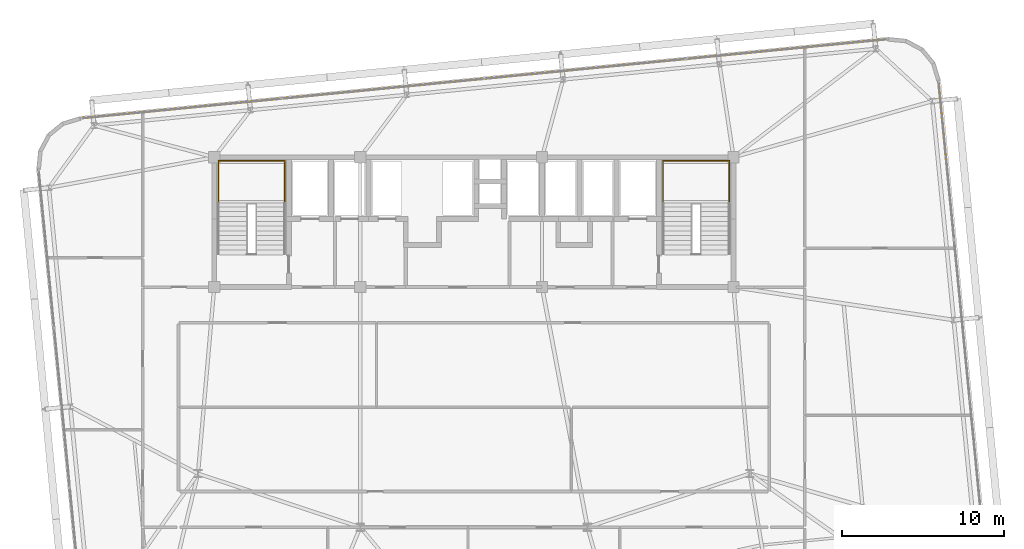
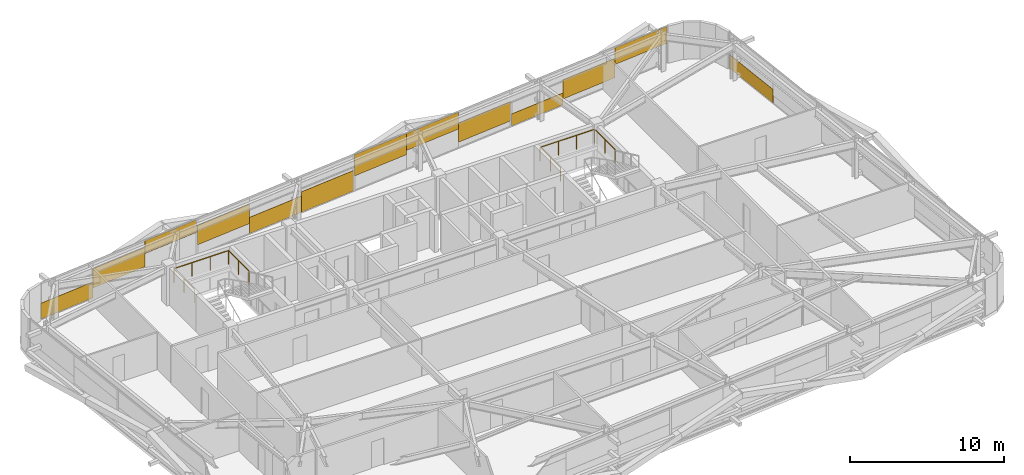
# One storey, part 47 of 47: 13 coverings, 2 railings.
"""IFC4 building model written with IfcOpenShell, lengths in metres."""

from ifc_helpers import new_model, si_unit, direction, frame, origin, origin_2d, place, context, subcontext, project, spatial, rectangle, extrude, source, transform, mapped, material, layer, layer_set, type_object, element, save


model = new_model("IFC4")

# Units and contexts
model_context = context("Model", 3, precision=1e-05, world=origin(), true_north=direction((0.0, 1.0)))
body_context = subcontext(model_context, "Body", "Model", "MODEL_VIEW")
ifc_project = project(units=[si_unit("LENGTHUNIT", "METRE"), si_unit("AREAUNIT", "SQUARE_METRE"), si_unit("VOLUMEUNIT", "CUBIC_METRE"), si_unit("PLANEANGLEUNIT", "RADIAN"), si_unit("MASSUNIT", "GRAM", prefix="KILO")], contexts=[model_context])

# Site, building, storey
site_placement = place(None, origin())
site = spatial("IfcSite", under=ifc_project, at=site_placement, CompositionType="ELEMENT")
building_placement = place(site_placement, origin())
building = spatial("IfcBuilding", under=site, at=building_placement, Name="Taldren Reach Tower", CompositionType="ELEMENT")
storey_placement = place(building_placement, frame((0.0, 0.0, 87.14990234375)))
storey = spatial("IfcBuildingStorey", under=building, at=storey_placement, Name="L26", CompositionType="ELEMENT", Elevation=87.14990234375)

# Railings
ifc_material_1 = material(Name="Steel Gr 350 (C350L0)", Category="steel")
ifc_layer_1 = layer(ifc_material_1, 0.050048828125)
ifc_layer_set_1 = layer_set([ifc_layer_1], Name="Steel Gr 350 (C350L0)")
railing_type = type_object("IfcRailingType", Name="RL-STAIR-GR", PredefinedType="GUARDRAIL", material=ifc_layer_set_1)
for number, where, name in (
    (1, (19.260009765625, 29.135009765625, 1.5751953125), "Stair half-landing perimeter guard ST1-L26"),
    (2, (46.659912109375, 29.135009765625, 1.5751953125), "Stair half-landing perimeter guard ST2-L26"),
):
    element("IfcRailing", number, at=place(storey_placement, frame(where)), inside=storey, type_object=railing_type, Name=name, PredefinedType="GUARDRAIL", context=body_context, shape_type="SweptSolid", body=[
        extrude(rectangle(XDim=0.047852, YDim=0.047852, at=origin_2d()), frame((0.0, 0.0, 1.09619140625), z_axis=(0.0, 1.0, 0.0), x_axis=(-1.0, 0.0, 0.0)), (0.0, 0.0, 1.0), 2.64501953125),
        extrude(rectangle(XDim=0.047852, YDim=0.047852, at=origin_2d()), frame((0.0, 2.64501953125, 1.09619140625), z_axis=(1.0, 0.0, 0.0), x_axis=(0.0, 1.0, 0.0)), (0.0, 0.0, 1.0), 4.080078125),
        extrude(rectangle(XDim=0.047852, YDim=0.047852, at=origin_2d()), frame((4.080078125, 2.64501953125, 1.09619140625), z_axis=(0.0, -1.0, 0.0), x_axis=(1.0, 0.0, 0.0)), (0.0, 0.0, 1.0), 2.64501953125),
        extrude(rectangle(XDim=0.041992, YDim=0.041992, at=origin_2d()), origin(), (0.0, 0.0, 1.0), 1.072021484375),
        extrude(rectangle(XDim=0.041992, YDim=0.041992, at=origin_2d()), frame((0.0, 1.322509765625, 0.0)), (0.0, 0.0, 1.0), 1.072021484375),
        extrude(rectangle(XDim=0.041992, YDim=0.041992, at=origin_2d()), frame((0.0, 2.64501953125, 0.0)), (0.0, 0.0, 1.0), 1.072021484375),
        extrude(rectangle(XDim=0.041992, YDim=0.041992, at=origin_2d()), frame((1.360107421875, 2.64501953125, 0.0)), (0.0, 0.0, 1.0), 1.072021484375),
        extrude(rectangle(XDim=0.041992, YDim=0.041992, at=origin_2d()), frame((2.719970703125, 2.64501953125, 0.0)), (0.0, 0.0, 1.0), 1.072021484375),
        extrude(rectangle(XDim=0.041992, YDim=0.041992, at=origin_2d()), frame((4.080078125, 2.64501953125, 0.0)), (0.0, 0.0, 1.0), 1.072021484375),
        extrude(rectangle(XDim=0.041992, YDim=0.041992, at=origin_2d()), frame((4.080078125, 1.322509765625, 0.0)), (0.0, 0.0, 1.0), 1.072021484375),
        extrude(rectangle(XDim=0.041992, YDim=0.041992, at=origin_2d()), frame((4.080078125, 0.0, 0.0)), (0.0, 0.0, 1.0), 1.072021484375),
    ])

# Coverings
ifc_material_2 = material(Name="Pale Champagne Fluoropolymer Aluminium Spandrel Cladding", Category="aluminium")
ifc_layer_2 = layer(ifc_material_2, 0.0439453125)
ifc_layer_set_2 = layer_set([ifc_layer_2], Name="Pale Champagne Fluoropolymer Aluminium Spandrel Cladding")
covering_type = type_object("IfcCoveringType", Name="CV-CLAD-044", PredefinedType="CLADDING", material=ifc_layer_set_2)
shared_shape_1 = source(origin(), body_context, "Body", "SweptSolid", [
    extrude(rectangle(XDim=4.13427734375, YDim=0.0439453125, at=origin_2d()), origin(), (0.0, 0.0, 1.0), 1.260498046875),
])
covering_1_placement = place(storey_placement, frame((12.872802734375, 34.594482421875, 0.05517578125), z_axis=(0.0, 0.0, 1.0), x_axis=(-0.995227390247, -0.097582999046, 0.0)))
element("IfcCovering", 3, at=covering_1_placement, inside=storey, type_object=covering_type, Name="Diagrid closure cladding strip CW-3 panel 4.1 3", PredefinedType="CLADDING", context=body_context, shape_type="MappedRepresentation", body=[
    mapped(shared_shape_1, transform((0.0, 0.0, 0.0), scale=1.0)),
])
shared_shape_2 = source(origin(), body_context, "Body", "SweptSolid", [
    extrude(rectangle(XDim=4.13427734375, YDim=0.0439453125, at=origin_2d()), origin(), (0.0, 0.0, 1.0), 1.52197265625),
])
for number, where, z_axis, x_axis, name in (
    (4, (54.27587890625, 38.654052734375, 0.516845703125), (0.0, 0.0, 1.0), (-0.995227390247, -0.097582999046, 0.0), "Diagrid closure cladding strip CW-3 panel 1.1 2"),
    (5, (16.9873046875, 34.997802734375, 0.831298828125), (0.0, 0.0, 1.0), (-0.995227390247, -0.097582999046, 0.0), "Diagrid closure cladding strip CW-3 panel 4.1 2"),
):
    element("IfcCovering", number, at=place(storey_placement, frame(where, z_axis=z_axis, x_axis=x_axis)), inside=storey, type_object=covering_type, Name=name, PredefinedType="CLADDING", context=body_context, shape_type="MappedRepresentation", body=[
        mapped(shared_shape_2, transform((0.0, 0.0, 0.0), scale=1.0)),
    ])
shared_shape_3 = source(origin(), body_context, "Body", "SweptSolid", [
    extrude(rectangle(XDim=4.13427734375, YDim=0.0439453125, at=origin_2d()), origin(), (0.0, 0.0, 1.0), 1.006103515625),
])
covering_2_placement = place(storey_placement, frame((21.1015625, 35.4013671875, 1.869140625), z_axis=(0.0, 0.0, 1.0), x_axis=(-0.995227390247, -0.097582999046, 0.0)))
element("IfcCovering", 6, at=covering_2_placement, inside=storey, type_object=covering_type, Name="Diagrid closure cladding strip CW-3 panel 4.1 1", PredefinedType="CLADDING", context=body_context, shape_type="MappedRepresentation", body=[
    mapped(shared_shape_3, transform((0.0, 0.0, 0.0), scale=1.0)),
])
shared_shape_4 = source(origin(), body_context, "Body", "SweptSolid", [
    extrude(rectangle(XDim=4.14501953125, YDim=0.0439453125, at=origin_2d()), origin(), (0.0, 0.0, 1.0), 1.52490234375),
])
for number, where, z_axis, x_axis, name in (
    (7, (45.97705078125, 37.84033203125, 0.4931640625), (0.0, 0.0, 1.0), (-0.995227390247, -0.097582999046, 0.0), "Diagrid closure cladding strip CW-3 panel 2.1 1"),
    (8, (25.2861328125, 35.8115234375, 0.85205078125), (0.0, 0.0, 1.0), (-0.995227390247, -0.097582999046, 0.0), "Diagrid closure cladding strip CW-3 panel 3.1 3"),
):
    element("IfcCovering", number, at=place(storey_placement, frame(where, z_axis=z_axis, x_axis=x_axis)), inside=storey, type_object=covering_type, Name=name, PredefinedType="CLADDING", context=body_context, shape_type="MappedRepresentation", body=[
        mapped(shared_shape_4, transform((0.0, 0.0, 0.0), scale=1.0)),
    ])
shared_shape_5 = source(origin(), body_context, "Body", "SweptSolid", [
    extrude(rectangle(XDim=4.14501953125, YDim=0.0439453125, at=origin_2d()), origin(), (0.0, 0.0, 1.0), 1.28125),
])
covering_3_placement = place(storey_placement, frame((29.411376953125, 36.216064453125, 0.05517578125), z_axis=(0.0, 0.0, 1.0), x_axis=(-0.995227390247, -0.097582999046, 0.0)))
element("IfcCovering", 9, at=covering_3_placement, inside=storey, type_object=covering_type, Name="Diagrid closure cladding strip CW-3 panel 3.1 2", PredefinedType="CLADDING", context=body_context, shape_type="MappedRepresentation", body=[
    mapped(shared_shape_5, transform((0.0, 0.0, 0.0), scale=1.0)),
])
shared_shape_6 = source(origin(), body_context, "Body", "SweptSolid", [
    extrude(rectangle(XDim=4.14501953125, YDim=0.0439453125, at=origin_2d()), origin(), (0.0, 0.0, 1.0), 1.614013671875),
])
covering_4_placement = place(storey_placement, frame((33.53662109375, 36.62060546875, 0.05517578125), z_axis=(0.0, 0.0, 1.0), x_axis=(-0.995227390247, -0.097582999046, 0.0)))
element("IfcCovering", 10, at=covering_4_placement, inside=storey, type_object=covering_type, Name="Diagrid closure cladding strip CW-3 panel 3.1 1", PredefinedType="CLADDING", context=body_context, shape_type="MappedRepresentation", body=[
    mapped(shared_shape_6, transform((0.0, 0.0, 0.0), scale=1.0)),
])
shared_shape_7 = source(origin(), body_context, "Body", "SweptSolid", [
    extrude(rectangle(XDim=4.14501953125, YDim=0.0439453125, at=origin_2d()), origin(), (0.0, 0.0, 1.0), 1.674072265625),
])
covering_5_placement = place(storey_placement, frame((37.7265625, 37.03125, 1.201171875), z_axis=(0.0, 0.0, 1.0), x_axis=(-0.995227390247, -0.097582999046, 0.0)))
element("IfcCovering", 11, at=covering_5_placement, inside=storey, type_object=covering_type, Name="Diagrid closure cladding strip CW-3 panel 2.1 3", PredefinedType="CLADDING", context=body_context, shape_type="MappedRepresentation", body=[
    mapped(shared_shape_7, transform((0.0, 0.0, 0.0), scale=1.0)),
])
shared_shape_8 = source(origin(), body_context, "Body", "SweptSolid", [
    extrude(rectangle(XDim=4.14501953125, YDim=0.0439453125, at=origin_2d()), origin(), (0.0, 0.0, 1.0), 1.34130859375),
])
covering_6_placement = place(storey_placement, frame((41.851806640625, 37.435791015625, 1.53369140625), z_axis=(0.0, 0.0, 1.0), x_axis=(-0.995227390247, -0.097582999046, 0.0)))
element("IfcCovering", 12, at=covering_6_placement, inside=storey, type_object=covering_type, Name="Diagrid closure cladding strip CW-3 panel 2.1 2", PredefinedType="CLADDING", context=body_context, shape_type="MappedRepresentation", body=[
    mapped(shared_shape_8, transform((0.0, 0.0, 0.0), scale=1.0)),
])
shared_shape_9 = source(origin(), body_context, "Body", "SweptSolid", [
    extrude(rectangle(XDim=4.13427734375, YDim=0.0439453125, at=origin_2d()), origin(), (0.0, 0.0, 1.0), 0.946044921875),
])
covering_7_placement = place(storey_placement, frame((50.161376953125, 38.250732421875, 0.05517578125), z_axis=(0.0, 0.0, 1.0), x_axis=(-0.995227390247, -0.097582999046, 0.0)))
element("IfcCovering", 13, at=covering_7_placement, inside=storey, type_object=covering_type, Name="Diagrid closure cladding strip CW-3 panel 1.1 3", PredefinedType="CLADDING", context=body_context, shape_type="MappedRepresentation", body=[
    mapped(shared_shape_9, transform((0.0, 0.0, 0.0), scale=1.0)),
])
shared_shape_10 = source(origin(), body_context, "Body", "SweptSolid", [
    extrude(rectangle(XDim=4.13427734375, YDim=0.0439453125, at=origin_2d()), origin(), (0.0, 0.0, 1.0), 1.320556640625),
])
covering_8_placement = place(storey_placement, frame((58.390380859375, 39.057373046875, 1.5546875), z_axis=(0.0, 0.0, 1.0), x_axis=(-0.995227390247, -0.097582999046, 0.0)))
element("IfcCovering", 14, at=covering_8_placement, inside=storey, type_object=covering_type, Name="Diagrid closure cladding strip CW-3 panel 1.1 1", PredefinedType="CLADDING", context=body_context, shape_type="MappedRepresentation", body=[
    mapped(shared_shape_10, transform((0.0, 0.0, 0.0), scale=1.0)),
])
shared_shape_11 = source(origin(), body_context, "Body", "SweptSolid", [
    extrude(rectangle(XDim=4.867919921875, YDim=0.0439453125, at=origin_2d()), origin(), (0.0, 0.0, 1.0), 1.072998046875),
])
covering_9_placement = place(storey_placement, frame((63.881591796875, 34.211181640625, 0.05517578125), z_axis=(0.0, 0.0, 1.0), x_axis=(-0.09758274098, 0.99522741555, 0.0)))
element("IfcCovering", 15, at=covering_9_placement, inside=storey, type_object=covering_type, Name="Diagrid closure cladding strip CW-3 panel 3.1 2", PredefinedType="CLADDING", context=body_context, shape_type="MappedRepresentation", body=[
    mapped(shared_shape_11, transform((0.0, 0.0, 0.0), scale=1.0)),
])

save(model, "model.ifc")
